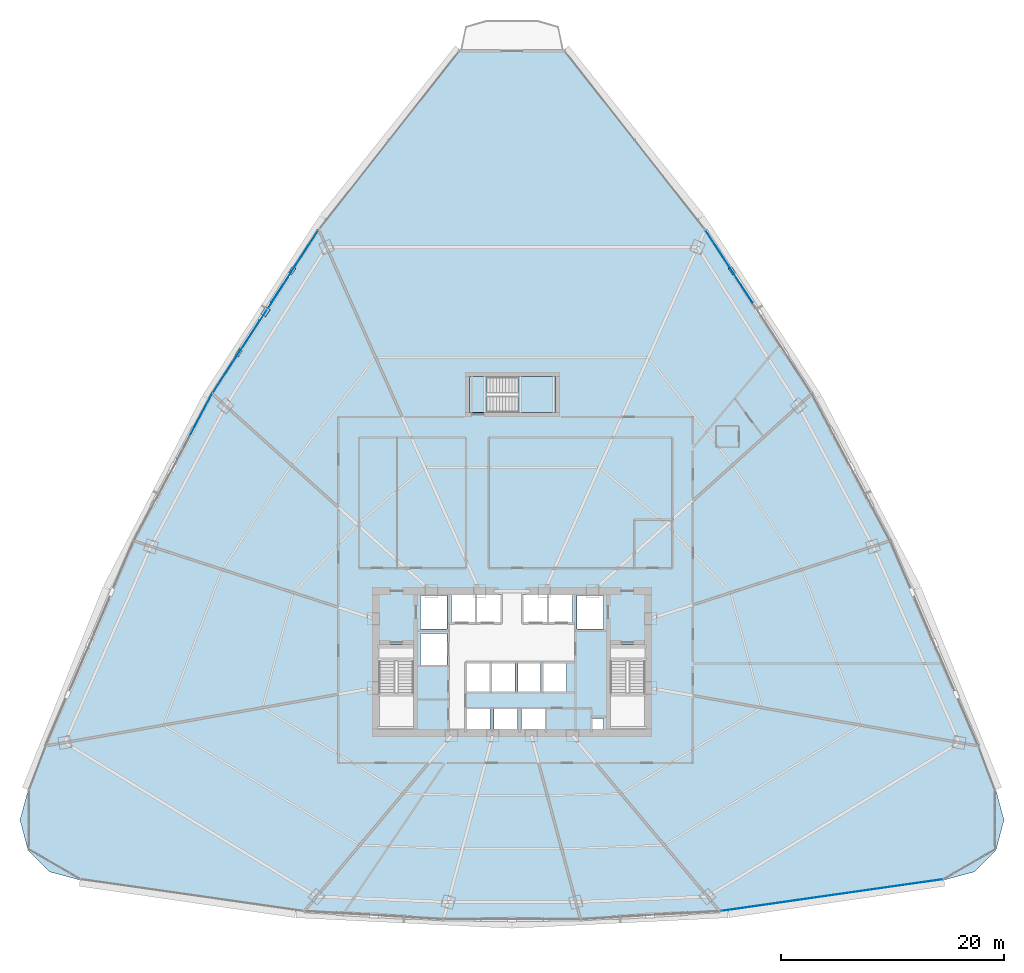
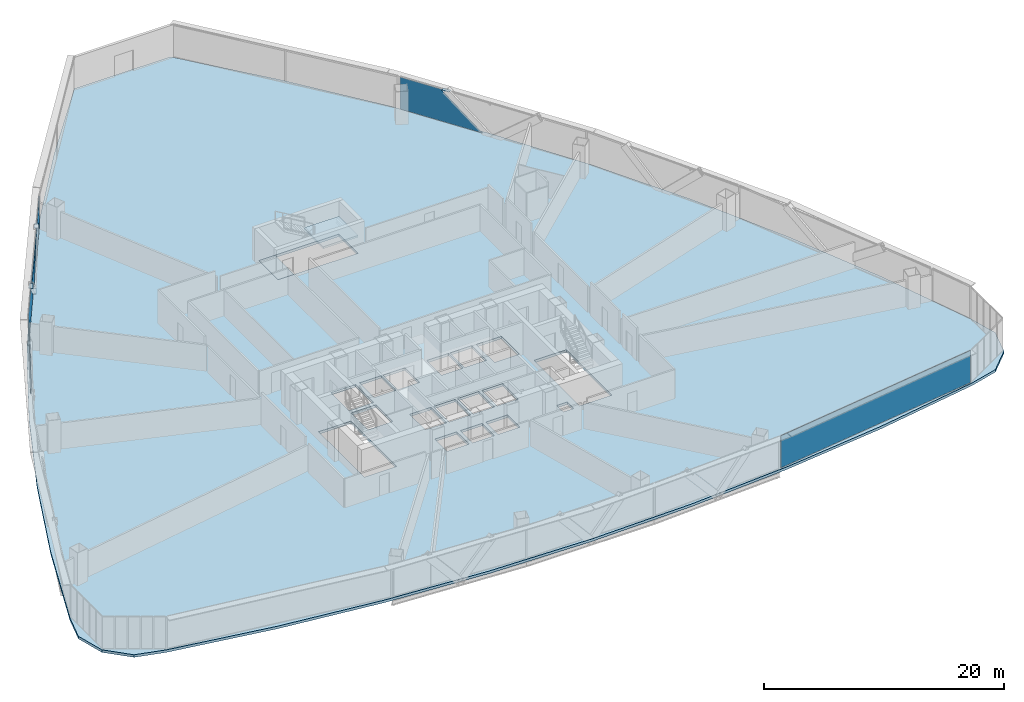
# One storey, part 32 of 42: 10 plates, 3 slabs, 5 elements without a shape of their own.
"""IFC4 building model written with IfcOpenShell, lengths in metres."""

from ifc_helpers import new_model, si_unit, direction, frame, origin, origin_2d, place, context, subcontext, project, spatial, polyline, rectangle, outline, extrude, source, transform, mapped, material, layer, layer_set, type_object, element, aggregate, save


model = new_model("IFC4")

# Units and contexts
model_context = context("Model", 3, precision=1e-05, world=origin(), true_north=direction((0.0, 1.0)))
body_context = subcontext(model_context, "Body", "Model", "MODEL_VIEW")
ifc_project = project(units=[si_unit("LENGTHUNIT", "METRE"), si_unit("AREAUNIT", "SQUARE_METRE"), si_unit("VOLUMEUNIT", "CUBIC_METRE"), si_unit("PLANEANGLEUNIT", "RADIAN"), si_unit("MASSUNIT", "GRAM", prefix="KILO"), si_unit("THERMODYNAMICTEMPERATUREUNIT", "KELVIN"), si_unit("POWERUNIT", "WATT")], contexts=[model_context])

# Site, building, storey
site_placement = place(None, origin())
site = spatial("IfcSite", under=ifc_project, at=site_placement, CompositionType="ELEMENT")
building_placement = place(site_placement, origin())
building = spatial("IfcBuilding", under=site, at=building_placement, Name="Yunzhuo Pagoda Commons", CompositionType="ELEMENT")
storey_placement = place(building_placement, frame((0.0, 0.0, 41.2900390625)))
storey = spatial("IfcBuildingStorey", under=building, at=storey_placement, Name="L10", CompositionType="ELEMENT", Elevation=41.2900390625)

# Curtain wall, plate
ifc_material_1 = material(Name="Anodized aluminium 6063-T6", Category="aluminium")
ifc_layer_1 = layer(ifc_material_1, 0.1650390625)
ifc_layer_set_1 = layer_set([ifc_layer_1], Name="Anodized aluminium 6063-T6")
curtain_wall_type = type_object("IfcCurtainWallType", Name="CW-LOW Low-Zone Ribbon Curtain Wall", PredefinedType="NOTDEFINED", material=ifc_layer_set_1)
curtain_wall_1_placement = place(storey_placement, origin())
curtain_wall_1 = element("IfcCurtainWall", 1, at=curtain_wall_1_placement, inside=storey, type_object=curtain_wall_type, Name="L10 curtain wall CW-L10-F2B4", PredefinedType="NOTDEFINED")
ifc_material_2 = material(Name="Tempered low-e double glazing", Category="glass")
ifc_layer_2 = layer(ifc_material_2, 0.028076171875)
ifc_layer_set_2 = layer_set([ifc_layer_2], Name="Tempered low-e double glazing")
plate_type_1 = type_object("IfcPlateType", Name="CW-LOW-P Low-E Double Glazing 28", PredefinedType="CURTAIN_PANEL", material=ifc_layer_set_2)
plate_1_placement = place(storey_placement, frame((67.4296875, 69.271728515625, 1.68505859375), z_axis=(0.838709783089, 0.54457864423, 0.0), x_axis=(-0.54457864423, 0.838709783089, 0.0)))
plate_1 = element("IfcPlate", 2, at=plate_1_placement, type_object=plate_type_1, Name="CW panel 1.1 lite 3", PredefinedType="CURTAIN_PANEL", context=body_context, shape_type="SweptSolid", body=[
    extrude(outline(polyline([(-3.85693359375, -1.625), (3.85693359375, -1.625), (3.85693359375, 1.625), (0.064697265625, 1.625), (-3.85693359375, -1.625)])), origin(), (0.0, 0.0, 1.0), 0.028076171875),
])
aggregate(curtain_wall_1, [plate_1])

# Curtain wall, plates
curtain_wall_2_placement = place(storey_placement, origin())
curtain_wall_2 = element("IfcCurtainWall", 3, at=curtain_wall_2_placement, inside=storey, type_object=curtain_wall_type, Name="L10 curtain wall CW-L10-F3B2", PredefinedType="NOTDEFINED")
plate_2_placement = place(storey_placement, frame((28.5703125, 69.271728515625, 1.68505859375), z_axis=(-0.838709783089, 0.54457864423, 0.0), x_axis=(-0.54457864423, -0.838709783089, 0.0)))
plate_2 = element("IfcPlate", 4, at=plate_2_placement, type_object=plate_type_1, Name="CW panel 1.1 lite 1", PredefinedType="CURTAIN_PANEL", context=body_context, shape_type="SweptSolid", body=[
    extrude(outline(polyline([(-3.85693359375, -1.625), (3.85693359375, -1.625), (-0.064697265625, 1.625), (-3.85693359375, 1.625), (-3.85693359375, -1.625)])), origin(), (0.0, 0.0, 1.0), 0.028076171875),
])
plate_3_placement = place(storey_placement, frame((25.96044921875, 65.197265625, 1.771728515625), z_axis=(-0.838709783089, 0.54457864423, 0.0), x_axis=(-0.54457864423, -0.838709783089, 0.0)))
plate_3 = element("IfcPlate", 5, at=plate_3_placement, type_object=plate_type_1, Name="CW panel 1.1 lite 2", PredefinedType="CURTAIN_PANEL", context=body_context, shape_type="SweptSolid", body=[
    extrude(outline(polyline([(-3.71240234375, 1.5380859375), (0.0, -1.538330078125), (3.71240234375, 1.5380859375), (-3.71240234375, 1.5380859375)])), origin(), (0.0, 0.0, 1.0), 0.028076171875),
])
plate_4_placement = place(storey_placement, frame((23.30029296875, 61.1552734375, 1.68505859375), z_axis=(-0.838709783089, 0.54457864423, 0.0), x_axis=(-0.54457864423, -0.838709783089, 0.0)))
plate_4 = element("IfcPlate", 6, at=plate_4_placement, type_object=plate_type_1, Name="CW panel 1.1 lite 3", PredefinedType="CURTAIN_PANEL", context=body_context, shape_type="SweptSolid", body=[
    extrude(outline(polyline([(-3.85693359375, -1.625), (3.85693359375, -1.625), (3.85693359375, 1.625), (0.064697265625, 1.625), (-3.85693359375, -1.625)])), origin(), (0.0, 0.0, 1.0), 0.028076171875),
])
aggregate(curtain_wall_2, [plate_2, plate_3, plate_4])

# Curtain wall, plate
curtain_wall_3_placement = place(storey_placement, origin())
curtain_wall_3 = element("IfcCurtainWall", 7, at=curtain_wall_3_placement, inside=storey, type_object=curtain_wall_type, Name="L10 curtain wall CW-L10-F3B3", PredefinedType="NOTDEFINED")
plate_5_placement = place(storey_placement, frame((19.599365234375, 54.931640625, 1.68505859375), z_axis=(-0.88230916381, 0.470670308662, 0.0), x_axis=(-0.470670308662, -0.88230916381, 0.0)))
plate_5 = element("IfcPlate", 8, at=plate_5_placement, type_object=plate_type_1, Name="CW panel 1.1 lite 1", PredefinedType="CURTAIN_PANEL", context=body_context, shape_type="SweptSolid", body=[
    extrude(outline(polyline([(-3.26171875, -1.625), (3.26171875, -1.625), (-0.078857421875, 1.625), (-3.26171875, 1.625), (-3.26171875, -1.625)])), origin(), (0.0, 0.0, 1.0), 0.028076171875),
])
aggregate(curtain_wall_3, [plate_5])

# Stair, slabs
ifc_material_3 = material(Name="Concrete C40", Category="concrete")
stair_type = type_object("IfcStairType", Name="ST-C3 North Tower Smokeproof Stair ST3", PredefinedType="HALF_TURN_STAIR", material=ifc_material_3)
stair_placement = place(storey_placement, origin())
stair = element("IfcStair", 9, at=stair_placement, inside=storey, type_object=stair_type, Name="L10 North tower smokeproof stair ST3", PredefinedType="HALF_TURN_STAIR")
ifc_layer_3 = layer(ifc_material_3, 0.2041015625)
ifc_layer_set_3 = layer_set([ifc_layer_3], Name="Concrete C40")
slab_type_1 = type_object("IfcSlabType", Name="SL-LND5 North Landing Slab 204", PredefinedType="LANDING", material=ifc_layer_set_3)
slab_1_placement = place(storey_placement, frame((0.0, 0.0, 1.614990234375)))
slab_1 = element("IfcSlab", 10, at=slab_1_placement, type_object=slab_type_1, Name="ST3 landing 1", PredefinedType="LANDING", context=body_context, shape_type="SweptSolid", body=[
    extrude(outline(polyline([(48.550048828125, 56.199951171875), (51.89990234375, 56.199951171875), (51.89990234375, 59.39990234375), (48.550048828125, 59.39990234375), (48.550048828125, 56.199951171875)])), origin(), (0.0, 0.0, 1.0), 0.199951171875),
])
slab_2_placement = place(storey_placement, frame((0.0, 0.0, -0.199951171875)))
slab_2 = element("IfcSlab", 11, at=slab_2_placement, type_object=slab_type_1, Name="ST3 floor landing L10", PredefinedType="LANDING", context=body_context, shape_type="SweptSolid", body=[
    extrude(outline(polyline([(44.199951171875, 56.199951171875), (45.75, 56.199951171875), (45.75, 59.39990234375), (44.199951171875, 59.39990234375), (44.199951171875, 56.199951171875)])), origin(), (0.0, 0.0, 1.0), 0.199951171875),
])
aggregate(stair, [slab_1, slab_2])

# Slab
ifc_layer_4 = layer(ifc_material_3, 0.260009765625)
ifc_layer_set_4 = layer_set([ifc_layer_4], Name="Concrete C40")
slab_type_2 = type_object("IfcSlabType", Name="SL-TWR Typical Tower Floor Slab 260", PredefinedType="FLOOR", material=ifc_layer_set_4)
slab_3_placement = place(storey_placement, frame((0.0, 0.0, -0.260009765625)))
element("IfcSlab", 12, at=slab_3_placement, inside=storey, type_object=slab_type_2, Name="L10 structural floor slab", PredefinedType="FLOOR", context=body_context, shape_type="SweptSolid", body=[
    extrude(outline(polyline([(8.08349609375, 31.504150390625), (11.905517578125, 40.38671875), (16.134033203125, 49.031494140625), (20.76904296875, 57.439208984375), (25.81103515625, 65.609375), (31.259521484375, 73.542236328125), (37.11474609375, 81.237548828125), (43.376708984375, 88.695556640625), (52.623291015625, 88.695556640625), (58.88525390625, 81.237548828125), (64.740478515625, 73.542236328125), (70.18896484375, 65.609375), (75.23095703125, 57.439208984375), (79.865966796875, 49.031494140625), (84.094482421875, 40.38671875), (87.91650390625, 31.504150390625), (91.33154296875, 22.384521484375), (92.0615234375, 19.70458984375), (91.3505859375, 17.02001953125), (89.390380859375, 15.052490234375), (86.708251953125, 14.33203125), (77.031005859375, 12.683837890625), (67.35400390625, 11.506591796875), (57.677001953125, 10.80029296875), (48.0, 10.56494140625), (38.322998046875, 10.80029296875), (28.64599609375, 11.506591796875), (18.968994140625, 12.683837890625), (9.291748046875, 14.33203125), (6.609619140625, 15.052490234375), (4.6494140625, 17.02001953125), (3.9384765625, 19.70458984375), (4.66845703125, 22.384521484375), (8.08349609375, 31.504150390625)]), holes=[polyline([(46.050048828125, 27.60009765625), (46.050048828125, 29.64990234375), (43.949951171875, 29.64990234375), (43.949951171875, 27.60009765625), (46.050048828125, 27.60009765625)]), polyline([(48.5, 27.60009765625), (48.5, 29.64990234375), (46.39990234375, 29.64990234375), (46.39990234375, 27.60009765625), (48.5, 27.60009765625)]), polyline([(36.10009765625, 27.800048828125), (39.199951171875, 27.800048828125), (39.199951171875, 35.39990234375), (36.10009765625, 35.39990234375), (36.10009765625, 27.800048828125)]), polyline([(45.969970703125, 31.199951171875), (45.969970703125, 33.800048828125), (43.929931640625, 33.800048828125), (43.929931640625, 31.199951171875), (45.969970703125, 31.199951171875)]), polyline([(48.27001953125, 31.199951171875), (48.27001953125, 33.800048828125), (46.22998046875, 33.800048828125), (46.22998046875, 31.199951171875), (48.27001953125, 31.199951171875)]), polyline([(42.199951171875, 33.60009765625), (42.199951171875, 36.39990234375), (39.800048828125, 36.39990234375), (39.800048828125, 33.60009765625), (42.199951171875, 33.60009765625)]), polyline([(42.199951171875, 36.800048828125), (42.199951171875, 39.800048828125), (39.800048828125, 39.800048828125), (39.800048828125, 36.800048828125), (42.199951171875, 36.800048828125)]), polyline([(42.60009765625, 37.39990234375), (44.699951171875, 37.39990234375), (44.699951171875, 39.85009765625), (42.60009765625, 39.85009765625), (42.60009765625, 37.39990234375)]), polyline([(44.85009765625, 37.39990234375), (46.949951171875, 37.39990234375), (46.949951171875, 39.85009765625), (44.85009765625, 39.85009765625), (44.85009765625, 37.39990234375)]), polyline([(56.179931640625, 27.699951171875), (56.179931640625, 28.800048828125), (55.179931640625, 28.800048828125), (55.179931640625, 27.699951171875), (56.179931640625, 27.699951171875)]), polyline([(50.949951171875, 27.60009765625), (50.949951171875, 29.64990234375), (48.85009765625, 29.64990234375), (48.85009765625, 27.60009765625), (50.949951171875, 27.60009765625)]), polyline([(56.800048828125, 27.800048828125), (59.89990234375, 27.800048828125), (59.89990234375, 35.39990234375), (56.800048828125, 35.39990234375), (56.800048828125, 27.800048828125)]), polyline([(50.570068359375, 31.199951171875), (50.570068359375, 33.800048828125), (48.530029296875, 33.800048828125), (48.530029296875, 31.199951171875), (50.570068359375, 31.199951171875)]), polyline([(52.8701171875, 31.199951171875), (52.8701171875, 33.800048828125), (50.830078125, 33.800048828125), (50.830078125, 31.199951171875), (52.8701171875, 31.199951171875)]), polyline([(56.199951171875, 36.800048828125), (56.199951171875, 39.800048828125), (53.800048828125, 39.800048828125), (53.800048828125, 36.800048828125), (56.199951171875, 36.800048828125)]), polyline([(51.14990234375, 37.39990234375), (51.14990234375, 39.85009765625), (49.050048828125, 39.85009765625), (49.050048828125, 37.39990234375), (51.14990234375, 37.39990234375)]), polyline([(51.300048828125, 37.39990234375), (53.39990234375, 37.39990234375), (53.39990234375, 39.85009765625), (51.300048828125, 39.85009765625), (51.300048828125, 37.39990234375)]), polyline([(44.199951171875, 56.199951171875), (51.89990234375, 56.199951171875), (51.89990234375, 59.39990234375), (44.199951171875, 59.39990234375), (44.199951171875, 56.199951171875)])]), origin(), (0.0, 0.0, 1.0), 0.260009765625),
])

# Plates
ifc_material_4 = material(Name="Structural steel Q355B", Category="steel")
ifc_layer_5 = layer(ifc_material_4, 0.028076171875)
ifc_layer_set_5 = layer_set([ifc_layer_5], Name="Structural steel Q355B")
plate_type_2 = type_object("IfcPlateType", Name="SP-ND1 Lattice Node Cap Plate 800x500x28", PredefinedType="USERDEFINED", material=ifc_layer_set_5)
shared_shape_1 = source(origin(), body_context, "Body", "SweptSolid", [
    extrude(rectangle(XDim=0.800048828125, YDim=0.5, at=origin_2d()), origin(), (0.0, 0.0, 1.0), 0.028076171875),
])
plate_6_placement = place(storey_placement, frame((25.923583984375, 65.22119140625, -0.27392578125), z_axis=(0.0, 0.0, 1.0), x_axis=(-0.544580483437, -0.838708588879, 0.0)))
element("IfcPlate", 13, at=plate_6_placement, inside=storey, type_object=plate_type_2, Name="L10 diamond node plate F3.1A", ObjectType="STIFFENER_PLATE", PredefinedType="USERDEFINED", context=body_context, shape_type="MappedRepresentation", body=[
    mapped(shared_shape_1, transform((0.0, 0.0, 0.0), scale=1.0)),
])
shared_shape_2 = source(origin(), body_context, "Body", "SweptSolid", [
    extrude(rectangle(XDim=0.699951171875, YDim=0.35009765625, at=origin_2d()), origin(), (0.0, 0.0, 1.0), 0.035888671875),
])
for number, where, z_axis, x_axis, name in (
    (14, (67.69091796875, 68.89501953125, 3.33203125), (0.0, 0.0, 1.0), (-0.544580483437, 0.838708588879, 0.0), "L10 setback lattice tie plate F2.3R"),
    (15, (28.30908203125, 68.89501953125, 3.33203125), (0.0, 0.0, 1.0), (-0.544580483437, -0.838708588879, 0.0), "L10 setback lattice tie plate F3.1L"),
    (16, (23.5380859375, 61.547119140625, 3.33203125), (0.0, 0.0, 1.0), (-0.544580483437, -0.838708588879, 0.0), "L10 setback lattice tie plate F3.1R"),
):
    element("IfcPlate", number, at=place(storey_placement, frame(where, z_axis=z_axis, x_axis=x_axis)), inside=storey, type_object=plate_type_2, Name=name, ObjectType="STIFFENER_PLATE", PredefinedType="USERDEFINED", context=body_context, shape_type="MappedRepresentation", body=[
        mapped(shared_shape_2, transform((0.0, 0.0, 0.0), scale=1.0)),
    ])

# Curtain wall, plate
curtain_wall_4_placement = place(storey_placement, origin())
curtain_wall_4 = element("IfcCurtainWall", 17, at=curtain_wall_4_placement, inside=storey, type_object=curtain_wall_type, Name="L10 curtain wall CW-L10-F1B5", PredefinedType="NOTDEFINED")
shared_shape_3 = source(origin(), body_context, "Body", "SweptSolid", [
    extrude(rectangle(XDim=20.06689453125, YDim=0.028076171875, at=origin_2d()), origin(), (0.0, 0.0, 1.0), 3.25),
])
plate_7_placement = place(storey_placement, frame((76.67138671875, 12.972412109375, 0.06005859375), z_axis=(0.0, 0.0, 1.0), x_axis=(0.989939291447, 0.141492753346, 0.0)))
plate_7 = element("IfcPlate", 18, at=plate_7_placement, type_object=plate_type_1, Name="CW panel 1.1", PredefinedType="CURTAIN_PANEL", context=body_context, shape_type="MappedRepresentation", body=[
    mapped(shared_shape_3, transform((0.0, 0.0, 0.0), scale=1.0)),
])
aggregate(curtain_wall_4, [plate_7])

save(model, "model.ifc")
